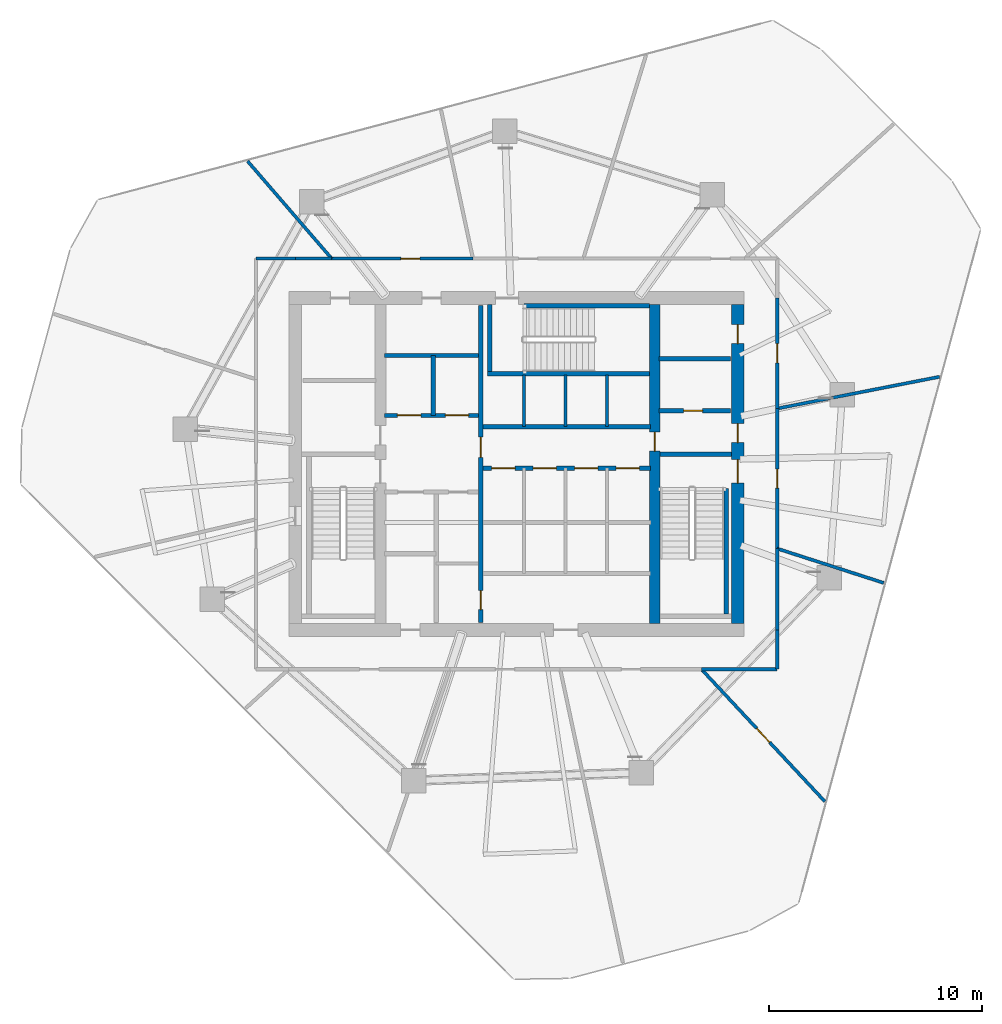
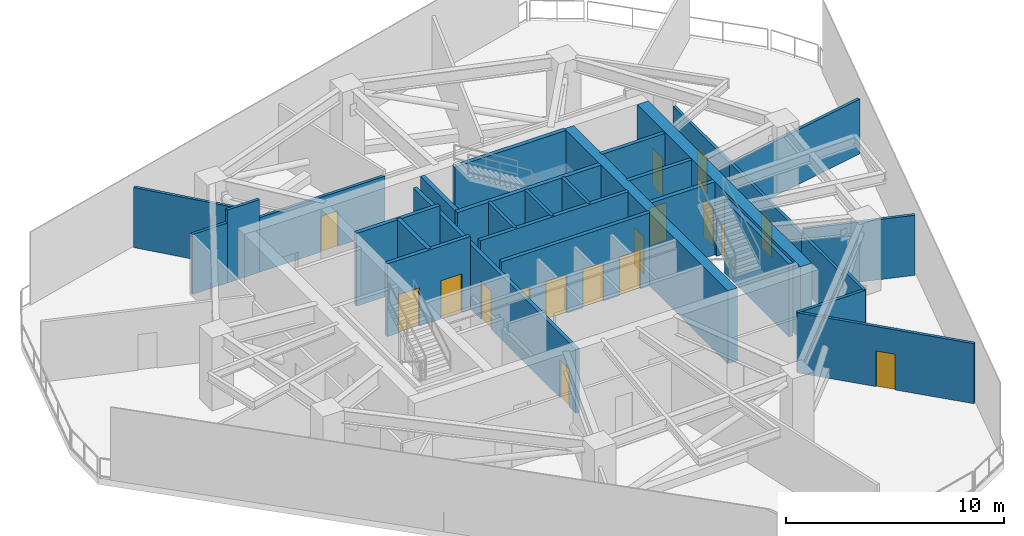
# One storey, part 4 of 7: 30 walls, 17 doors, 17 openings.
"""IFC4 building model written with IfcOpenShell, lengths in metres."""

from ifc_helpers import new_model, si_unit, direction, frame, frame_2d, origin, place, context, subcontext, project, spatial, rectangle, extrude, material, layer, layer_set, type_object, element, fill, save


model = new_model("IFC4")

# Units and contexts
model_context = context("Model", 3, precision=1e-05, world=origin(), true_north=direction((0.0, 1.0)))
body_context = subcontext(model_context, "Body", "Model", "MODEL_VIEW")
ifc_project = project(units=[si_unit("LENGTHUNIT", "METRE"), si_unit("AREAUNIT", "SQUARE_METRE"), si_unit("VOLUMEUNIT", "CUBIC_METRE"), si_unit("PLANEANGLEUNIT", "RADIAN"), si_unit("MASSUNIT", "GRAM", prefix="KILO")], contexts=[model_context])

# Site, building, storey
site_placement = place(None, origin())
site = spatial("IfcSite", under=ifc_project, at=site_placement, CompositionType="ELEMENT")
building_placement = place(site_placement, origin())
building = spatial("IfcBuilding", under=site, at=building_placement, Name="Qarnah Convention Tower", CompositionType="ELEMENT")
storey_placement = place(building_placement, frame((0.0, 0.0, 121.199951171875)))
storey = spatial("IfcBuildingStorey", under=building, at=storey_placement, Name="L32", CompositionType="ELEMENT", Elevation=121.199951171875)

# Wall, openings, doors
ifc_material_1 = material(Name="Concrete C60/75", Category="concrete")
ifc_layer_1 = layer(ifc_material_1, 0.60009765625)
ifc_layer_set_1 = layer_set([ifc_layer_1], Name="Concrete C60/75")
wall_type_1 = type_object("IfcWallType", Name="WL-CORE-600", PredefinedType="SHEAR", material=ifc_layer_set_1)
wall_1_placement = place(storey_placement, frame((47.60009765625, 18.89990234375, 0.0), z_axis=(0.0, 0.0, 1.0), x_axis=(0.0, 1.0, 0.0)))
wall_1 = element("IfcWall", 1, at=wall_1_placement, inside=storey, type_object=wall_type_1, Name="L32 core east shear wall", PredefinedType="SHEAR", context=body_context, shape_type="SweptSolid", body=[
    extrude(rectangle(XDim=15.0, YDim=0.60009765625, at=frame_2d((7.5, 0.0))), origin(), (0.0, 0.0, 1.0), 4.080078125),
])
opening_1_placement = place(wall_1_placement, frame((6.60009765625, 0.0, 0.0)))
opening_1 = element("IfcOpeningElement", 2, at=opening_1_placement, cuts=wall_1, Name="Opening D-3202", PredefinedType="OPENING", context=body_context, shape_type="SweptSolid", body=[
    extrude(rectangle(XDim=1.10009765625, YDim=2.14990234375, at=frame_2d((0.550048828125, 1.074951171875))), frame((0.0, 0.31005859375, 0.0), z_axis=(0.0, -1.0, 0.0), x_axis=(1.0, 0.0, 0.0)), (0.0, 0.0, 1.0), 0.6201171875),
])
opening_2_placement = place(wall_1_placement, frame((8.5, 0.0, 0.0)))
opening_2 = element("IfcOpeningElement", 3, at=opening_2_placement, cuts=wall_1, Name="Opening D-3206", PredefinedType="OPENING", context=body_context, shape_type="SweptSolid", body=[
    extrude(rectangle(XDim=0.89990234375, YDim=2.10009765625, at=frame_2d((0.449951171875, 1.050048828125))), frame((0.0, 0.31005859375, 0.0), z_axis=(0.0, -1.0, 0.0), x_axis=(1.0, 0.0, 0.0)), (0.0, 0.0, 1.0), 0.6201171875),
])
opening_3_placement = place(wall_1_placement, frame((13.14990234375, 0.0, 0.0)))
opening_3 = element("IfcOpeningElement", 4, at=opening_3_placement, cuts=wall_1, Name="Opening D-3212", PredefinedType="OPENING", context=body_context, shape_type="SweptSolid", body=[
    extrude(rectangle(XDim=0.89990234375, YDim=2.10009765625, at=frame_2d((0.449951171875, 1.050048828125))), frame((0.0, 0.31005859375, 0.0), z_axis=(0.0, -1.0, 0.0), x_axis=(1.0, 0.0, 0.0)), (0.0, 0.0, 1.0), 0.6201171875),
])
ifc_material_2 = material(Name="Structural steel S355JR", Category="steel")
door_type_1 = type_object("IfcDoorType", Name="DT-RISER-900", OperationType="NOTDEFINED", PredefinedType="DOOR", material=ifc_material_2)
door_1_placement = place(opening_2_placement, origin())
door_1 = element("IfcDoor", 5, at=door_1_placement, inside=storey, type_object=door_type_1, Name="Door D-3206", OperationType="SINGLE_SWING_LEFT", OverallHeight=2.10009765625, OverallWidth=0.89990234375, PredefinedType="DOOR", context=body_context, shape_type="SweptSolid", body=[
    extrude(rectangle(XDim=0.89990234375, YDim=2.10009765625, at=frame_2d((0.449951171875, 1.050048828125))), frame((0.0, 0.02490234375, 0.0), z_axis=(0.0, -1.0, 0.0), x_axis=(1.0, 0.0, 0.0)), (0.0, 0.0, 1.0), 0.050048828125),
])
fill(opening_2, door_1)
door_2_placement = place(opening_3_placement, origin())
door_2 = element("IfcDoor", 6, at=door_2_placement, inside=storey, type_object=door_type_1, Name="Door D-3212", OperationType="SINGLE_SWING_LEFT", OverallHeight=2.10009765625, OverallWidth=0.89990234375, PredefinedType="DOOR", context=body_context, shape_type="SweptSolid", body=[
    extrude(rectangle(XDim=0.89990234375, YDim=2.10009765625, at=frame_2d((0.449951171875, 1.050048828125))), frame((0.0, 0.02490234375, 0.0), z_axis=(0.0, -1.0, 0.0), x_axis=(1.0, 0.0, 0.0)), (0.0, 0.0, 1.0), 0.050048828125),
])
fill(opening_3, door_2)
door_type_2 = type_object("IfcDoorType", Name="DT-STAIR-1100", OperationType="NOTDEFINED", PredefinedType="DOOR", material=ifc_material_2)
door_3_placement = place(opening_1_placement, origin())
door_3 = element("IfcDoor", 7, at=door_3_placement, inside=storey, type_object=door_type_2, Name="Door D-3202", OperationType="SINGLE_SWING_LEFT", OverallHeight=2.14990234375, OverallWidth=1.10009765625, PredefinedType="DOOR", context=body_context, shape_type="SweptSolid", body=[
    extrude(rectangle(XDim=1.10009765625, YDim=2.14990234375, at=frame_2d((0.550048828125, 1.074951171875))), frame((0.0, 0.02490234375, 0.0), z_axis=(0.0, -1.0, 0.0), x_axis=(1.0, 0.0, 0.0)), (0.0, 0.0, 1.0), 0.050048828125),
])
fill(opening_1, door_3)

# Wall, opening, door
ifc_layer_2 = layer(ifc_material_1, 0.5)
ifc_layer_set_2 = layer_set([ifc_layer_2], Name="Concrete C60/75")
wall_type_2 = type_object("IfcWallType", Name="WL-CORE-INT-400", PredefinedType="SHEAR", material=ifc_layer_set_2)
wall_2_placement = place(storey_placement, frame((43.699951171875, 18.89990234375, 0.0), z_axis=(0.0, 0.0, 1.0), x_axis=(0.0, 1.0, 0.0)))
wall_2 = element("IfcWall", 8, at=wall_2_placement, inside=storey, type_object=wall_type_2, Name="L32 core east spine shear wall", PredefinedType="SHEAR", context=body_context, shape_type="SweptSolid", body=[
    extrude(rectangle(XDim=15.0, YDim=0.5, at=frame_2d((7.5, 0.0))), origin(), (0.0, 0.0, 1.0), 4.080078125),
])
opening_4_placement = place(wall_2_placement, frame((8.10009765625, 0.0, 0.0)))
opening_4 = element("IfcOpeningElement", 9, at=opening_4_placement, cuts=wall_2, Name="Opening D-3205", PredefinedType="OPENING", context=body_context, shape_type="SweptSolid", body=[
    extrude(rectangle(XDim=0.89990234375, YDim=2.10009765625, at=frame_2d((0.449951171875, 1.050048828125))), frame((0.0, 0.260009765625, 0.0), z_axis=(0.0, -1.0, 0.0), x_axis=(1.0, 0.0, 0.0)), (0.0, 0.0, 1.0), 0.52001953125),
])
door_4_placement = place(opening_4_placement, origin())
door_4 = element("IfcDoor", 10, at=door_4_placement, inside=storey, type_object=door_type_1, Name="Door D-3205", OperationType="SINGLE_SWING_RIGHT", OverallHeight=2.10009765625, OverallWidth=0.89990234375, PredefinedType="DOOR", context=body_context, shape_type="SweptSolid", body=[
    extrude(rectangle(XDim=0.89990234375, YDim=2.10009765625, at=frame_2d((0.449951171875, 1.050048828125))), frame((0.0, 0.02490234375, 0.0), z_axis=(0.0, -1.0, 0.0), x_axis=(1.0, 0.0, 0.0)), (0.0, 0.0, 1.0), 0.050048828125),
])
fill(opening_4, door_4)

ifc_material_3 = material(Name="Concrete C45/55", Category="concrete")
ifc_layer_3 = layer(ifc_material_3, 0.199951171875)
ifc_layer_set_3 = layer_set([ifc_layer_3], Name="Concrete C45/55")
wall_type_3 = type_object("IfcWallType", Name="WL-CORE-PART-200", PredefinedType="SOLIDWALL", material=ifc_layer_set_3)
wall_3_placement = place(storey_placement, frame((43.89990234375, 28.89990234375, 0.0), z_axis=(0.0, 0.0, 1.0), x_axis=(1.0, 0.0, 0.0)))
wall_3 = element("IfcWall", 11, at=wall_3_placement, inside=storey, type_object=wall_type_3, Name="L32 interior wall IW-L32-EVSTN", PredefinedType="SOLIDWALL", context=body_context, shape_type="SweptSolid", body=[
    extrude(rectangle(XDim=3.35009765625, YDim=0.199951171875, at=frame_2d((1.675048828125, 0.0))), origin(), (0.0, 0.0, 1.0), 4.080078125),
])
opening_5_placement = place(wall_3_placement, frame((1.14990234375, 0.0, 0.0)))
opening_5 = element("IfcOpeningElement", 12, at=opening_5_placement, cuts=wall_3, Name="Opening D-3211", PredefinedType="OPENING", context=body_context, shape_type="SweptSolid", body=[
    extrude(rectangle(XDim=0.89990234375, YDim=2.10009765625, at=frame_2d((0.449951171875, 1.050048828125))), frame((0.0, 0.10986328125, 0.0), z_axis=(0.0, -1.0, 0.0), x_axis=(1.0, 0.0, 0.0)), (0.0, 0.0, 1.0), 0.219970703125),
])
door_5_placement = place(opening_5_placement, origin())
door_5 = element("IfcDoor", 13, at=door_5_placement, inside=storey, type_object=door_type_1, Name="Door D-3211", OperationType="SINGLE_SWING_RIGHT", OverallHeight=2.10009765625, OverallWidth=0.89990234375, PredefinedType="DOOR", context=body_context, shape_type="SweptSolid", body=[
    extrude(rectangle(XDim=0.89990234375, YDim=2.10009765625, at=frame_2d((0.449951171875, 1.050048828125))), frame((0.0, 0.02490234375, 0.0), z_axis=(0.0, -1.0, 0.0), x_axis=(1.0, 0.0, 0.0)), (0.0, 0.0, 1.0), 0.050048828125),
])
fill(opening_5, door_5)

# Wall
wall_4_placement = place(storey_placement, frame((43.89990234375, 31.35009765625, 0.0), z_axis=(0.0, 0.0, 1.0), x_axis=(1.0, 0.0, 0.0)))
element("IfcWall", 14, at=wall_4_placement, inside=storey, type_object=wall_type_3, Name="L32 interior wall IW-L32-WTRN", PredefinedType="SOLIDWALL", context=body_context, shape_type="SweptSolid", body=[
    extrude(rectangle(XDim=3.35009765625, YDim=0.199951171875, at=frame_2d((1.675048828125, 0.0))), origin(), (0.0, 0.0, 1.0), 4.080078125),
])

# Wall, openings, doors
wall_5_placement = place(storey_placement, frame((35.52001953125, 18.949951171875, 0.0), z_axis=(0.0, 0.0, 1.0), x_axis=(0.0, 1.0, 0.0)))
wall_5 = element("IfcWall", 15, at=wall_5_placement, inside=storey, type_object=wall_type_3, Name="L32 interior wall IW-L32-CSP", PredefinedType="SOLIDWALL", context=body_context, shape_type="SweptSolid", body=[
    extrude(rectangle(XDim=14.900146484375, YDim=0.199951171875, at=frame_2d((7.4501953125, 0.0))), origin(), (0.0, 0.0, 1.0), 3.60107421875),
])
opening_6_placement = place(wall_5_placement, frame((7.7548828125, 0.0, 0.0)))
opening_6 = element("IfcOpeningElement", 16, at=opening_6_placement, cuts=wall_5, Name="Opening D-3204", PredefinedType="OPENING", context=body_context, shape_type="SweptSolid", body=[
    extrude(rectangle(XDim=0.949951171875, YDim=2.14990234375, at=frame_2d((0.47509765625, 1.074951171875))), frame((0.0, 0.10986328125, 0.0), z_axis=(0.0, -1.0, 0.0), x_axis=(1.0, 0.0, 0.0)), (0.0, 0.0, 1.0), 0.219970703125),
])
opening_7_placement = place(wall_5_placement, frame((0.60009765625, 0.0, 0.0)))
opening_7 = element("IfcOpeningElement", 17, at=opening_7_placement, cuts=wall_5, Name="Opening D-3214", PredefinedType="OPENING", context=body_context, shape_type="SweptSolid", body=[
    extrude(rectangle(XDim=0.89990234375, YDim=2.10009765625, at=frame_2d((0.449951171875, 1.050048828125))), frame((0.0, 0.10986328125, 0.0), z_axis=(0.0, -1.0, 0.0), x_axis=(1.0, 0.0, 0.0)), (0.0, 0.0, 1.0), 0.219970703125),
])
ifc_material_4 = material(Name="Oak timber veneer", Category="wood")
door_type_3 = type_object("IfcDoorType", Name="DT-HOTEL-950", OperationType="NOTDEFINED", PredefinedType="DOOR", material=ifc_material_4)
door_6_placement = place(opening_6_placement, origin())
door_6 = element("IfcDoor", 18, at=door_6_placement, inside=storey, type_object=door_type_3, Name="Door D-3204", OperationType="SINGLE_SWING_LEFT", OverallHeight=2.14990234375, OverallWidth=0.949951171875, PredefinedType="DOOR", context=body_context, shape_type="SweptSolid", body=[
    extrude(rectangle(XDim=0.949951171875, YDim=2.14990234375, at=frame_2d((0.47509765625, 1.074951171875))), frame((0.0, 0.02490234375, 0.0), z_axis=(0.0, -1.0, 0.0), x_axis=(1.0, 0.0, 0.0)), (0.0, 0.0, 1.0), 0.050048828125),
])
fill(opening_6, door_6)
door_7_placement = place(opening_7_placement, origin())
door_7 = element("IfcDoor", 19, at=door_7_placement, inside=storey, type_object=door_type_1, Name="Door D-3214", OperationType="SINGLE_SWING_LEFT", OverallHeight=2.10009765625, OverallWidth=0.89990234375, PredefinedType="DOOR", context=body_context, shape_type="SweptSolid", body=[
    extrude(rectangle(XDim=0.89990234375, YDim=2.10009765625, at=frame_2d((0.449951171875, 1.050048828125))), frame((0.0, 0.02490234375, 0.0), z_axis=(0.0, -1.0, 0.0), x_axis=(1.0, 0.0, 0.0)), (0.0, 0.0, 1.0), 0.050048828125),
])
fill(opening_7, door_7)

wall_6_placement = place(storey_placement, frame((31.0, 28.679931640625, 0.0), z_axis=(0.0, 0.0, 1.0), x_axis=(1.0, 0.0, 0.0)))
wall_6 = element("IfcWall", 20, at=wall_6_placement, inside=storey, type_object=wall_type_3, Name="L32 interior wall IW-L32-FFLS", PredefinedType="SOLIDWALL", context=body_context, shape_type="SweptSolid", body=[
    extrude(rectangle(XDim=4.419921875, YDim=0.199951171875, at=frame_2d((2.2099609375, 0.0))), origin(), (0.0, 0.0, 1.0), 4.080078125),
])
opening_8_placement = place(wall_6_placement, frame((0.60009765625, 0.0, 0.0)))
opening_8 = element("IfcOpeningElement", 21, at=opening_8_placement, cuts=wall_6, Name="Opening LD-3201", PredefinedType="OPENING", context=body_context, shape_type="SweptSolid", body=[
    extrude(rectangle(XDim=1.10009765625, YDim=2.14990234375, at=frame_2d((0.550048828125, 1.074951171875))), frame((0.0, 0.10986328125, 0.0), z_axis=(0.0, -1.0, 0.0), x_axis=(1.0, 0.0, 0.0)), (0.0, 0.0, 1.0), 0.219970703125),
])
opening_9_placement = place(wall_6_placement, frame((2.85009765625, 0.0, 0.0)))
opening_9 = element("IfcOpeningElement", 22, at=opening_9_placement, cuts=wall_6, Name="Opening LD-3202", PredefinedType="OPENING", context=body_context, shape_type="SweptSolid", body=[
    extrude(rectangle(XDim=1.10009765625, YDim=2.14990234375, at=frame_2d((0.550048828125, 1.074951171875))), frame((0.0, 0.10986328125, 0.0), z_axis=(0.0, -1.0, 0.0), x_axis=(1.0, 0.0, 0.0)), (0.0, 0.0, 1.0), 0.219970703125),
])
door_type_4 = type_object("IfcDoorType", Name="DT-LIFT-1100", OperationType="SLIDING_TO_LEFT", PredefinedType="DOOR", material=ifc_material_2)
door_8_placement = place(opening_8_placement, origin())
door_8 = element("IfcDoor", 23, at=door_8_placement, inside=storey, type_object=door_type_4, Name="Door LD-3201", OperationType="SLIDING_TO_LEFT", OverallHeight=2.14990234375, OverallWidth=1.10009765625, PredefinedType="DOOR", context=body_context, shape_type="SweptSolid", body=[
    extrude(rectangle(XDim=1.10009765625, YDim=2.14990234375, at=frame_2d((0.550048828125, 1.074951171875))), frame((0.0, 0.02490234375, 0.0), z_axis=(0.0, -1.0, 0.0), x_axis=(1.0, 0.0, 0.0)), (0.0, 0.0, 1.0), 0.050048828125),
])
fill(opening_8, door_8)
door_9_placement = place(opening_9_placement, origin())
door_9 = element("IfcDoor", 24, at=door_9_placement, inside=storey, type_object=door_type_4, Name="Door LD-3202", OperationType="SLIDING_TO_LEFT", OverallHeight=2.14990234375, OverallWidth=1.10009765625, PredefinedType="DOOR", context=body_context, shape_type="SweptSolid", body=[
    extrude(rectangle(XDim=1.10009765625, YDim=2.14990234375, at=frame_2d((0.550048828125, 1.074951171875))), frame((0.0, 0.02490234375, 0.0), z_axis=(0.0, -1.0, 0.0), x_axis=(1.0, 0.0, 0.0)), (0.0, 0.0, 1.0), 0.050048828125),
])
fill(opening_9, door_9)

# Walls
wall_7_placement = place(storey_placement, frame((31.0, 31.5, 0.0), z_axis=(0.0, 0.0, 1.0), x_axis=(1.0, 0.0, 0.0)))
element("IfcWall", 25, at=wall_7_placement, inside=storey, type_object=wall_type_3, Name="L32 interior wall IW-L32-FFLN", PredefinedType="SOLIDWALL", context=body_context, shape_type="SweptSolid", body=[
    extrude(rectangle(XDim=4.419921875, YDim=0.199951171875, at=frame_2d((2.2099609375, 0.0))), origin(), (0.0, 0.0, 1.0), 4.080078125),
])
wall_8_placement = place(storey_placement, frame((33.280029296875, 28.679931640625, 0.0), z_axis=(0.0, 0.0, 1.0), x_axis=(0.0, 1.0, 0.0)))
element("IfcWall", 26, at=wall_8_placement, inside=storey, type_object=wall_type_3, Name="L32 interior wall IW-L32-FFLM", PredefinedType="SOLIDWALL", context=body_context, shape_type="SweptSolid", body=[
    extrude(rectangle(XDim=2.820068359375, YDim=0.199951171875, at=frame_2d((1.41015625, 0.0))), origin(), (0.0, 0.0, 1.0), 4.080078125),
])
wall_9_placement = place(storey_placement, frame((35.6201171875, 28.14990234375, 0.0), z_axis=(0.0, 0.0, 1.0), x_axis=(1.0, 0.0, 0.0)))
element("IfcWall", 27, at=wall_9_placement, inside=storey, type_object=wall_type_3, Name="L32 interior wall IW-L32-PHS", PredefinedType="SOLIDWALL", context=body_context, shape_type="SweptSolid", body=[
    extrude(rectangle(XDim=7.8798828125, YDim=0.199951171875, at=frame_2d((3.93994140625, 0.0))), origin(), (0.0, 0.0, 1.0), 4.080078125),
])

# Wall, openings, doors
wall_10_placement = place(storey_placement, frame((35.6201171875, 26.199951171875, 0.0), z_axis=(0.0, 0.0, 1.0), x_axis=(1.0, 0.0, 0.0)))
wall_10 = element("IfcWall", 28, at=wall_10_placement, inside=storey, type_object=wall_type_3, Name="L32 interior wall IW-L32-PMN", PredefinedType="SOLIDWALL", context=body_context, shape_type="SweptSolid", body=[
    extrude(rectangle(XDim=7.8798828125, YDim=0.199951171875, at=frame_2d((3.93994140625, 0.0))), origin(), (0.0, 0.0, 1.0), 4.080078125),
])
opening_10_placement = place(wall_10_placement, frame((0.405029296875, 0.0, 0.0)))
opening_10 = element("IfcOpeningElement", 29, at=opening_10_placement, cuts=wall_10, Name="Opening LD-3204", PredefinedType="OPENING", context=body_context, shape_type="SweptSolid", body=[
    extrude(rectangle(XDim=1.10009765625, YDim=2.14990234375, at=frame_2d((0.550048828125, 1.074951171875))), frame((0.0, 0.10986328125, 0.0), z_axis=(0.0, -1.0, 0.0), x_axis=(1.0, 0.0, 0.0)), (0.0, 0.0, 1.0), 0.219970703125),
])
opening_11_placement = place(wall_10_placement, frame((2.35498046875, 0.0, 0.0)))
opening_11 = element("IfcOpeningElement", 30, at=opening_11_placement, cuts=wall_10, Name="Opening LD-3205", PredefinedType="OPENING", context=body_context, shape_type="SweptSolid", body=[
    extrude(rectangle(XDim=1.10009765625, YDim=2.14990234375, at=frame_2d((0.550048828125, 1.074951171875))), frame((0.0, 0.10986328125, 0.0), z_axis=(0.0, -1.0, 0.0), x_axis=(1.0, 0.0, 0.0)), (0.0, 0.0, 1.0), 0.219970703125),
])
opening_12_placement = place(wall_10_placement, frame((4.304931640625, 0.0, 0.0)))
opening_12 = element("IfcOpeningElement", 31, at=opening_12_placement, cuts=wall_10, Name="Opening LD-3206", PredefinedType="OPENING", context=body_context, shape_type="SweptSolid", body=[
    extrude(rectangle(XDim=1.10009765625, YDim=2.14990234375, at=frame_2d((0.550048828125, 1.074951171875))), frame((0.0, 0.10986328125, 0.0), z_axis=(0.0, -1.0, 0.0), x_axis=(1.0, 0.0, 0.0)), (0.0, 0.0, 1.0), 0.219970703125),
])
opening_13_placement = place(wall_10_placement, frame((6.2548828125, 0.0, 0.0)))
opening_13 = element("IfcOpeningElement", 32, at=opening_13_placement, cuts=wall_10, Name="Opening LD-3207", PredefinedType="OPENING", context=body_context, shape_type="SweptSolid", body=[
    extrude(rectangle(XDim=1.10009765625, YDim=2.14990234375, at=frame_2d((0.550048828125, 1.074951171875))), frame((0.0, 0.10986328125, 0.0), z_axis=(0.0, -1.0, 0.0), x_axis=(1.0, 0.0, 0.0)), (0.0, 0.0, 1.0), 0.219970703125),
])
door_10_placement = place(opening_10_placement, origin())
door_10 = element("IfcDoor", 33, at=door_10_placement, inside=storey, type_object=door_type_4, Name="Door LD-3204", OperationType="SLIDING_TO_LEFT", OverallHeight=2.14990234375, OverallWidth=1.10009765625, PredefinedType="DOOR", context=body_context, shape_type="SweptSolid", body=[
    extrude(rectangle(XDim=1.10009765625, YDim=2.14990234375, at=frame_2d((0.550048828125, 1.074951171875))), frame((0.0, 0.02490234375, 0.0), z_axis=(0.0, -1.0, 0.0), x_axis=(1.0, 0.0, 0.0)), (0.0, 0.0, 1.0), 0.050048828125),
])
fill(opening_10, door_10)
door_11_placement = place(opening_11_placement, origin())
door_11 = element("IfcDoor", 34, at=door_11_placement, inside=storey, type_object=door_type_4, Name="Door LD-3205", OperationType="SLIDING_TO_LEFT", OverallHeight=2.14990234375, OverallWidth=1.10009765625, PredefinedType="DOOR", context=body_context, shape_type="SweptSolid", body=[
    extrude(rectangle(XDim=1.10009765625, YDim=2.14990234375, at=frame_2d((0.550048828125, 1.074951171875))), frame((0.0, 0.02490234375, 0.0), z_axis=(0.0, -1.0, 0.0), x_axis=(1.0, 0.0, 0.0)), (0.0, 0.0, 1.0), 0.050048828125),
])
fill(opening_11, door_11)
door_12_placement = place(opening_12_placement, origin())
door_12 = element("IfcDoor", 35, at=door_12_placement, inside=storey, type_object=door_type_4, Name="Door LD-3206", OperationType="SLIDING_TO_LEFT", OverallHeight=2.14990234375, OverallWidth=1.10009765625, PredefinedType="DOOR", context=body_context, shape_type="SweptSolid", body=[
    extrude(rectangle(XDim=1.10009765625, YDim=2.14990234375, at=frame_2d((0.550048828125, 1.074951171875))), frame((0.0, 0.02490234375, 0.0), z_axis=(0.0, -1.0, 0.0), x_axis=(1.0, 0.0, 0.0)), (0.0, 0.0, 1.0), 0.050048828125),
])
fill(opening_12, door_12)
door_13_placement = place(opening_13_placement, origin())
door_13 = element("IfcDoor", 36, at=door_13_placement, inside=storey, type_object=door_type_4, Name="Door LD-3207", OperationType="SLIDING_TO_LEFT", OverallHeight=2.14990234375, OverallWidth=1.10009765625, PredefinedType="DOOR", context=body_context, shape_type="SweptSolid", body=[
    extrude(rectangle(XDim=1.10009765625, YDim=2.14990234375, at=frame_2d((0.550048828125, 1.074951171875))), frame((0.0, 0.02490234375, 0.0), z_axis=(0.0, -1.0, 0.0), x_axis=(1.0, 0.0, 0.0)), (0.0, 0.0, 1.0), 0.050048828125),
])
fill(opening_13, door_13)

# Walls
ifc_layer_4 = layer(ifc_material_1, 0.219970703125)
ifc_layer_set_4 = layer_set([ifc_layer_4], Name="Concrete C60/75")
wall_type_4 = type_object("IfcWallType", Name="WL-CORE-STAIR-220", PredefinedType="SHEAR", material=ifc_layer_set_4)
wall_11_placement = place(storey_placement, frame((43.949951171875, 26.860107421875, 0.0), z_axis=(0.0, 0.0, 1.0), x_axis=(1.0, 0.0, 0.0)))
element("IfcWall", 37, at=wall_11_placement, inside=storey, type_object=wall_type_4, Name="L32 stair shaft shear wall SW-L32-ST2N", PredefinedType="SHEAR", context=body_context, shape_type="SweptSolid", body=[
    extrude(rectangle(XDim=3.35009765625, YDim=0.219970703125, at=frame_2d((1.675048828125, 0.0))), origin(), (0.0, 0.0, 1.0), 4.080078125),
])
wall_12_placement = place(storey_placement, frame((47.06005859375, 19.35009765625, 0.0), z_axis=(0.0, 0.0, 1.0), x_axis=(0.0, 1.0, 0.0)))
element("IfcWall", 38, at=wall_12_placement, inside=storey, type_object=wall_type_4, Name="L32 stair shaft shear wall SW-L32-ST2E", PredefinedType="SHEAR", context=body_context, shape_type="SweptSolid", body=[
    extrude(rectangle(XDim=5.89990234375, YDim=0.219970703125, at=frame_2d((2.949951171875, 0.0))), origin(), (0.0, 0.0, 1.0), 4.080078125),
])
wall_13_placement = place(storey_placement, frame((35.840087890625, 30.639892578125, 0.0), z_axis=(0.0, 0.0, 1.0), x_axis=(1.0, 0.0, 0.0)))
element("IfcWall", 39, at=wall_13_placement, inside=storey, type_object=wall_type_4, Name="L32 stair shaft shear wall SW-L32-ST3S", PredefinedType="SHEAR", context=body_context, shape_type="SweptSolid", body=[
    extrude(rectangle(XDim=7.60986328125, YDim=0.219970703125, at=frame_2d((3.804931640625, 0.0))), origin(), (0.0, 0.0, 1.0), 4.080078125),
])
wall_14_placement = place(storey_placement, frame((35.93994140625, 30.75, 0.0), z_axis=(0.0, 0.0, 1.0), x_axis=(0.0, 1.0, 0.0)))
element("IfcWall", 40, at=wall_14_placement, inside=storey, type_object=wall_type_4, Name="L32 stair shaft shear wall SW-L32-ST3W", PredefinedType="SHEAR", context=body_context, shape_type="SweptSolid", body=[
    extrude(rectangle(XDim=3.14990234375, YDim=0.219970703125, at=frame_2d((1.574951171875, 0.0))), origin(), (0.0, 0.0, 1.0), 4.080078125),
])
wall_15_placement = place(storey_placement, frame((37.550048828125, 33.840087890625, 0.0), z_axis=(0.0, 0.0, 1.0), x_axis=(1.0, 0.0, 0.0)))
element("IfcWall", 41, at=wall_15_placement, inside=storey, type_object=wall_type_4, Name="L32 stair shaft shear wall SW-L32-ST3N", PredefinedType="SHEAR", context=body_context, shape_type="SweptSolid", body=[
    extrude(rectangle(XDim=5.89990234375, YDim=0.219970703125, at=frame_2d((2.949951171875, 0.0))), origin(), (0.0, 0.0, 1.0), 4.080078125),
])
ifc_material_5 = material(Name="Gypsum partition board")
ifc_layer_5 = layer(ifc_material_5, 0.14990234375)
ifc_layer_set_5 = layer_set([ifc_layer_5], Name="Gypsum partition board")
wall_type_5 = type_object("IfcWallType", Name="WL-SUITE-150", PredefinedType="PARTITIONING", material=ifc_layer_set_5)
for number, where, z_axis, x_axis, name in (
    (42, (37.550048828125, 28.14990234375, 0.0), (0.0, 0.0, 1.0), (0.0, 1.0, 0.0), "L32 interior wall IW-L32-PHD1"),
    (43, (39.5, 28.14990234375, 0.0), (0.0, 0.0, 1.0), (0.0, 1.0, 0.0), "L32 interior wall IW-L32-PHD2"),
    (44, (41.449951171875, 28.14990234375, 0.0), (0.0, 0.0, 1.0), (0.0, 1.0, 0.0), "L32 interior wall IW-L32-PHD3"),
):
    element("IfcWall", number, at=place(storey_placement, frame(where, z_axis=z_axis, x_axis=x_axis)), inside=storey, type_object=wall_type_5, Name=name, PredefinedType="PARTITIONING", context=body_context, shape_type="SweptSolid", body=[
        extrude(rectangle(XDim=2.43017578125, YDim=0.14990234375, at=frame_2d((1.215087890625, 0.0))), origin(), (0.0, 0.0, 1.0), 4.080078125),
    ])

# Wall, opening, door
wall_16_placement = place(storey_placement, frame((49.449951171875, 34.199951171875, 0.0), z_axis=(0.0, 0.0, 1.0), x_axis=(0.0, -1.0, 0.0)))
wall_16 = element("IfcWall", 45, at=wall_16_placement, inside=storey, type_object=wall_type_5, Name="L32 interior wall IW-L32-R-04", PredefinedType="PARTITIONING", context=body_context, shape_type="SweptSolid", body=[
    extrude(rectangle(XDim=5.196044921875, YDim=0.14990234375, at=frame_2d((2.59814453125, 0.0))), origin(), (0.0, 0.0, 1.0), 3.06494140625),
])
opening_14_placement = place(wall_16_placement, frame((2.14794921875, 0.0, 0.0)))
opening_14 = element("IfcOpeningElement", 46, at=opening_14_placement, cuts=wall_16, Name="Opening D-3216", PredefinedType="OPENING", context=body_context, shape_type="SweptSolid", body=[
    extrude(rectangle(XDim=0.89990234375, YDim=2.0, at=frame_2d((0.449951171875, 1.0))), frame((0.0, 0.0849609375, 0.0), z_axis=(0.0, -1.0, 0.0), x_axis=(1.0, 0.0, 0.0)), (0.0, 0.0, 1.0), 0.169921875),
])
door_type_5 = type_object("IfcDoorType", Name="DT-PLANT-900", OperationType="NOTDEFINED", PredefinedType="DOOR", material=ifc_material_2)
door_14_placement = place(opening_14_placement, origin())
door_14 = element("IfcDoor", 47, at=door_14_placement, inside=storey, type_object=door_type_5, Name="Door D-3216", OperationType="SINGLE_SWING_LEFT", OverallHeight=2.0, OverallWidth=0.89990234375, PredefinedType="DOOR", context=body_context, shape_type="SweptSolid", body=[
    extrude(rectangle(XDim=0.89990234375, YDim=2.0, at=frame_2d((0.449951171875, 1.0))), frame((0.0, 0.02490234375, 0.0), z_axis=(0.0, -1.0, 0.0), x_axis=(1.0, 0.0, 0.0)), (0.0, 0.0, 1.0), 0.050048828125),
])
fill(opening_14, door_14)

# Walls
wall_17_placement = place(storey_placement, frame((49.449951171875, 29.00390625, 0.0), z_axis=(0.0, 0.0, 1.0), x_axis=(0.981404103345, 0.191953082647, 0.0)))
element("IfcWall", 48, at=wall_17_placement, inside=storey, type_object=wall_type_5, Name="L32 interior wall IW-L32-R-05", PredefinedType="PARTITIONING", context=body_context, shape_type="SweptSolid", body=[
    extrude(rectangle(XDim=7.773681640625, YDim=0.14990234375, at=frame_2d((3.88671875, 0.0))), origin(), (0.0, 0.0, 1.0), 3.06494140625),
])
wall_18_placement = place(storey_placement, frame((24.556884765625, 40.631103515625, 0.0), z_axis=(0.0, 0.0, 1.0), x_axis=(0.653405569298, -0.75700803299, 0.0)))
element("IfcWall", 49, at=wall_18_placement, inside=storey, type_object=wall_type_5, Name="L32 interior wall IW-L32-R-10", PredefinedType="PARTITIONING", context=body_context, shape_type="SweptSolid", body=[
    extrude(rectangle(XDim=6.051513671875, YDim=0.14990234375, at=frame_2d((3.02587890625, 0.0))), origin(), (0.0, 0.0, 1.0), 3.364990234375),
])

# Wall, opening, door
wall_19_placement = place(storey_placement, frame((28.510986328125, 36.050048828125, 0.0), z_axis=(0.0, 0.0, 1.0), x_axis=(1.0, 0.0, 0.0)))
wall_19 = element("IfcWall", 50, at=wall_19_placement, inside=storey, type_object=wall_type_5, Name="L32 interior wall IW-L32-R-11", PredefinedType="PARTITIONING", context=body_context, shape_type="SweptSolid", body=[
    extrude(rectangle(XDim=6.637939453125, YDim=0.14990234375, at=frame_2d((3.31884765625, 0.0))), origin(), (0.0, 0.0, 1.0), 3.06494140625),
])
opening_15_placement = place(wall_19_placement, frame((3.2451171875, 0.0, 0.0)))
opening_15 = element("IfcOpeningElement", 51, at=opening_15_placement, cuts=wall_19, Name="Opening D-3219", PredefinedType="OPENING", context=body_context, shape_type="SweptSolid", body=[
    extrude(rectangle(XDim=0.89990234375, YDim=2.0, at=frame_2d((0.449951171875, 1.0))), frame((0.0, 0.0849609375, 0.0), z_axis=(0.0, -1.0, 0.0), x_axis=(1.0, 0.0, 0.0)), (0.0, 0.0, 1.0), 0.169921875),
])
door_15_placement = place(opening_15_placement, origin())
door_15 = element("IfcDoor", 52, at=door_15_placement, inside=storey, type_object=door_type_5, Name="Door D-3219", OperationType="SINGLE_SWING_RIGHT", OverallHeight=2.0, OverallWidth=0.89990234375, PredefinedType="DOOR", context=body_context, shape_type="SweptSolid", body=[
    extrude(rectangle(XDim=0.89990234375, YDim=2.0, at=frame_2d((0.449951171875, 1.0))), frame((0.0, 0.02490234375, 0.0), z_axis=(0.0, -1.0, 0.0), x_axis=(1.0, 0.0, 0.0)), (0.0, 0.0, 1.0), 0.050048828125),
])
fill(opening_15, door_15)

# Walls
wall_20_placement = place(storey_placement, frame((24.949951171875, 36.050048828125, 0.0), z_axis=(0.0, 0.0, 1.0), x_axis=(1.0, 0.0, 0.0)))
element("IfcWall", 53, at=wall_20_placement, inside=storey, type_object=wall_type_5, Name="L32 interior wall IW-L32-R-14", PredefinedType="PARTITIONING", context=body_context, shape_type="SweptSolid", body=[
    extrude(rectangle(XDim=1.85009765625, YDim=0.14990234375, at=frame_2d((0.925048828125, 0.0))), origin(), (0.0, 0.0, 1.0), 3.364990234375),
])
wall_21_placement = place(storey_placement, frame((26.800048828125, 36.050048828125, 0.0), z_axis=(0.0, 0.0, 1.0), x_axis=(1.0, 0.0, 0.0)))
element("IfcWall", 54, at=wall_21_placement, inside=storey, type_object=wall_type_5, Name="L32 interior wall IW-L32-R-15", PredefinedType="PARTITIONING", context=body_context, shape_type="SweptSolid", body=[
    extrude(rectangle(XDim=1.7109375, YDim=0.14990234375, at=frame_2d((0.85546875, 0.0))), origin(), (0.0, 0.0, 1.0), 4.080078125),
])

# Wall, opening, door
wall_22_placement = place(storey_placement, frame((51.68994140625, 10.533935546875, 0.0), z_axis=(0.0, 0.0, 1.0), x_axis=(-0.68227834955, 0.731092506961, 0.0)))
wall_22 = element("IfcWall", 55, at=wall_22_placement, inside=storey, type_object=wall_type_5, Name="L32 interior wall IW-L32-R-26", PredefinedType="PARTITIONING", context=body_context, shape_type="SweptSolid", body=[
    extrude(rectangle(XDim=8.50244140625, YDim=0.14990234375, at=frame_2d((4.251220703125, 0.0))), origin(), (0.0, 0.0, 1.0), 3.364990234375),
])
opening_16_placement = place(wall_22_placement, frame((3.801025390625, 0.0, 0.0)))
opening_16 = element("IfcOpeningElement", 56, at=opening_16_placement, cuts=wall_22, Name="Opening D-3226", PredefinedType="OPENING", context=body_context, shape_type="SweptSolid", body=[
    extrude(rectangle(XDim=0.89990234375, YDim=2.0, at=frame_2d((0.449951171875, 1.0))), frame((0.0, 0.0849609375, 0.0), z_axis=(0.0, -1.0, 0.0), x_axis=(1.0, 0.0, 0.0)), (0.0, 0.0, 1.0), 0.169921875),
])
door_16_placement = place(opening_16_placement, origin())
door_16 = element("IfcDoor", 57, at=door_16_placement, inside=storey, type_object=door_type_5, Name="Door D-3226", OperationType="SINGLE_SWING_LEFT", OverallHeight=2.0, OverallWidth=0.89990234375, PredefinedType="DOOR", context=body_context, shape_type="SweptSolid", body=[
    extrude(rectangle(XDim=0.89990234375, YDim=2.0, at=frame_2d((0.449951171875, 1.0))), frame((0.0, 0.02490234375, 0.0), z_axis=(0.0, -1.0, 0.0), x_axis=(1.0, 0.0, 0.0)), (0.0, 0.0, 1.0), 0.050048828125),
])
fill(opening_16, door_16)

# Walls
wall_23_placement = place(storey_placement, frame((54.452880859375, 20.80908203125, 0.0), z_axis=(0.0, 0.0, 1.0), x_axis=(-0.95187571798, 0.306484285928, 0.0)))
element("IfcWall", 58, at=wall_23_placement, inside=storey, type_object=wall_type_5, Name="L32 interior wall IW-L32-R-28", PredefinedType="PARTITIONING", context=body_context, shape_type="SweptSolid", body=[
    extrude(rectangle(XDim=5.255859375, YDim=0.14990234375, at=frame_2d((2.6279296875, 0.0))), origin(), (0.0, 0.0, 1.0), 3.364990234375),
])
wall_24_placement = place(storey_placement, frame((49.449951171875, 22.419921875, 0.0), z_axis=(0.0, 0.0, 1.0), x_axis=(0.0, -1.0, 0.0)))
element("IfcWall", 59, at=wall_24_placement, inside=storey, type_object=wall_type_5, Name="L32 interior wall IW-L32-R-29", PredefinedType="PARTITIONING", context=body_context, shape_type="SweptSolid", body=[
    extrude(rectangle(XDim=3.81982421875, YDim=0.14990234375, at=frame_2d((1.909912109375, 0.0))), origin(), (0.0, 0.0, 1.0), 3.06494140625),
])
wall_25_placement = place(storey_placement, frame((49.449951171875, 18.60009765625, 0.0), z_axis=(0.0, 0.0, 1.0), x_axis=(0.0, -1.0, 0.0)))
element("IfcWall", 60, at=wall_25_placement, inside=storey, type_object=wall_type_5, Name="L32 interior wall IW-L32-R-30", PredefinedType="PARTITIONING", context=body_context, shape_type="SweptSolid", body=[
    extrude(rectangle(XDim=1.85009765625, YDim=0.14990234375, at=frame_2d((0.925048828125, 0.0))), origin(), (0.0, 0.0, 1.0), 3.364990234375),
])
wall_26_placement = place(storey_placement, frame((49.449951171875, 16.75, 0.0), z_axis=(0.0, 0.0, 1.0), x_axis=(-1.0, 0.0, 0.0)))
element("IfcWall", 61, at=wall_26_placement, inside=storey, type_object=wall_type_5, Name="L32 interior wall IW-L32-R-31", PredefinedType="PARTITIONING", context=body_context, shape_type="SweptSolid", body=[
    extrude(rectangle(XDim=3.56103515625, YDim=0.14990234375, at=frame_2d((1.780517578125, 0.0))), origin(), (0.0, 0.0, 1.0), 3.364990234375),
])

# Wall, opening, door
wall_27_placement = place(storey_placement, frame((49.449951171875, 29.00390625, 0.0), z_axis=(0.0, 0.0, 1.0), x_axis=(0.0, -1.0, 0.0)))
wall_27 = element("IfcWall", 62, at=wall_27_placement, inside=storey, type_object=wall_type_5, Name="L32 interior wall IW-L32-R-32", PredefinedType="PARTITIONING", context=body_context, shape_type="SweptSolid", body=[
    extrude(rectangle(XDim=6.583984375, YDim=0.14990234375, at=frame_2d((3.2919921875, 0.0))), origin(), (0.0, 0.0, 1.0), 3.06494140625),
])
opening_17_placement = place(wall_27_placement, frame((2.842041015625, 0.0, 0.0)))
opening_17 = element("IfcOpeningElement", 63, at=opening_17_placement, cuts=wall_27, Name="Opening D-3227", PredefinedType="OPENING", context=body_context, shape_type="SweptSolid", body=[
    extrude(rectangle(XDim=0.89990234375, YDim=2.0, at=frame_2d((0.449951171875, 1.0))), frame((0.0, 0.0849609375, 0.0), z_axis=(0.0, -1.0, 0.0), x_axis=(1.0, 0.0, 0.0)), (0.0, 0.0, 1.0), 0.169921875),
])
door_17_placement = place(opening_17_placement, origin())
door_17 = element("IfcDoor", 64, at=door_17_placement, inside=storey, type_object=door_type_5, Name="Door D-3227", OperationType="SINGLE_SWING_RIGHT", OverallHeight=2.0, OverallWidth=0.89990234375, PredefinedType="DOOR", context=body_context, shape_type="SweptSolid", body=[
    extrude(rectangle(XDim=0.89990234375, YDim=2.0, at=frame_2d((0.449951171875, 1.0))), frame((0.0, 0.02490234375, 0.0), z_axis=(0.0, -1.0, 0.0), x_axis=(1.0, 0.0, 0.0)), (0.0, 0.0, 1.0), 0.050048828125),
])
fill(opening_17, door_17)

save(model, "model.ifc")
